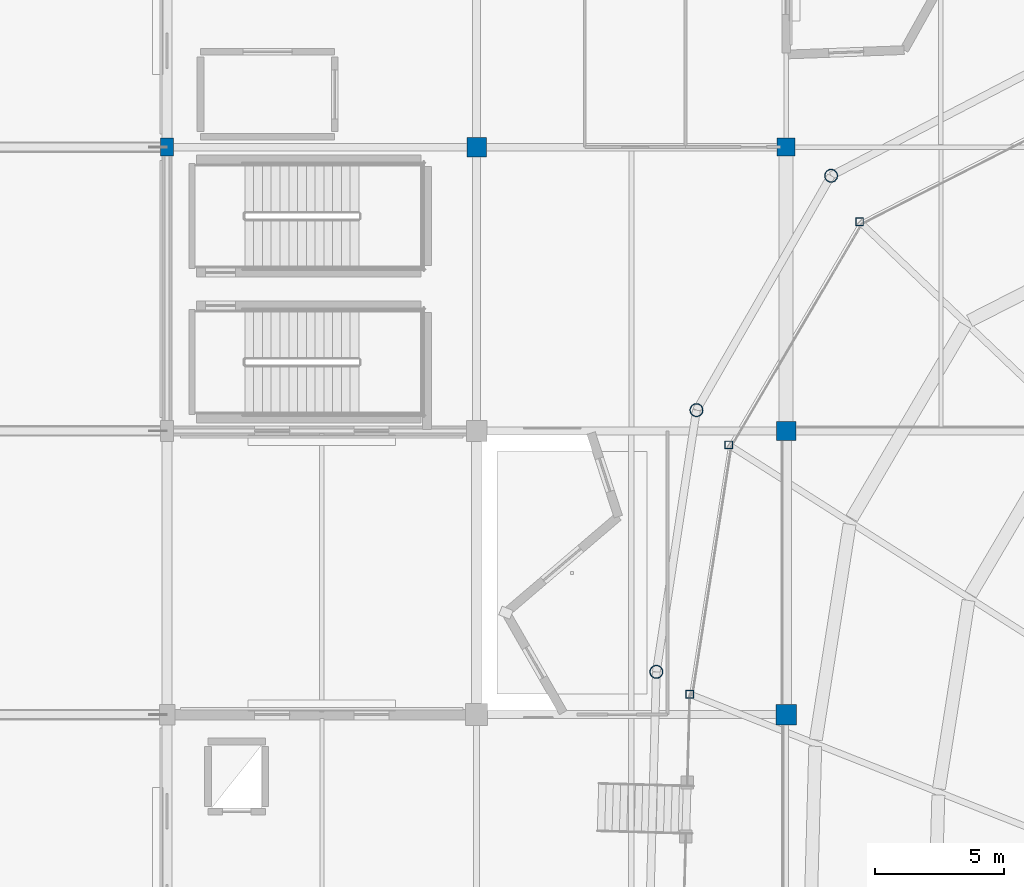
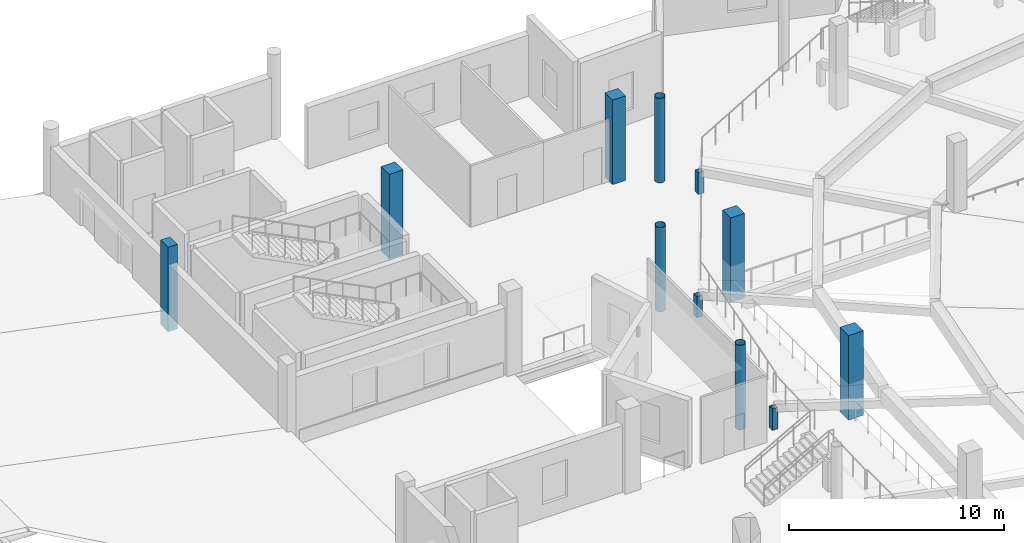
# One storey, part 8 of 77: 11 columns.
"""IFC4 building model written with IfcOpenShell, lengths in metres."""

import ifcopenshell
import ifcopenshell.guid

model = None  # the IFC model being written
_history = None  # IfcOwnerHistory: only IFC2X3 demands one
_inside = {}  # id of a spatial element -> (the spatial element, [elements in it])
_under = {}  # id of a project, library or spatial element -> (it, [spatial elements below it])
_declared = {}  # id of a project -> (the project, [libraries it declares])
_typed = {}  # id of a type object -> (the type object, [elements of that type])
_made_of = {}  # id of a material, layer set ... -> (it, [elements and type objects made of it])


def new_model(schema):
    """Start an empty IFC model of exactly this schema.

    Asked for "IFC4X3", IfcOpenShell would pick the latest addendum, in which some entities
    have other attributes; the version numbers below select the first issue.
    IFC2X3 requires an IfcOwnerHistory on every rooted entity: one is made here for all.
    """
    global model, _history
    if schema == "IFC4X3":
        model = ifcopenshell.file(schema_version=(4, 3, 0, 0))
    else:
        model = ifcopenshell.file(schema=schema)
    _inside.clear()
    _under.clear()
    _declared.clear()
    _typed.clear()
    _made_of.clear()
    _history = None
    if model.schema == "IFC2X3":
        org = make("IfcOrganization", Name="unknown")
        user = make(
            "IfcPersonAndOrganization",
            ThePerson=make("IfcPerson", FamilyName="unknown"),
            TheOrganization=org,
        )
        app = make(
            "IfcApplication",
            ApplicationDeveloper=org,
            Version="unknown",
            ApplicationFullName="unknown",
            ApplicationIdentifier="unknown",
        )
        _history = make(
            "IfcOwnerHistory",
            OwningUser=user,
            OwningApplication=app,
            ChangeAction="ADDED",
            CreationDate=0,
        )
    return model


def make(cls, **values):
    """One entity of the class cls with the attributes given. An attribute that is None is left unset."""
    return model.create_entity(
        cls, **{name: value for name, value in values.items() if value is not None}
    )


def rooted(cls, **values):
    """An entity with a GlobalId (a new one), such as an element, a storey or a relation."""
    return make(cls, GlobalId=ifcopenshell.guid.new(), OwnerHistory=_history, **values)


def si_unit(unit_type, name, prefix=None):
    """IfcSIUnit, for example si_unit("LENGTHUNIT", "METRE", prefix="MILLI")."""
    return make("IfcSIUnit", UnitType=unit_type, Prefix=prefix, Name=name)


def assignment(units):
    """IfcUnitAssignment: the units of a project."""
    return None if units is None else make("IfcUnitAssignment", Units=units)


def point(xyz):
    """IfcCartesianPoint."""
    return None if xyz is None else make("IfcCartesianPoint", Coordinates=xyz)


def direction(xyz):
    """IfcDirection."""
    return None if xyz is None else make("IfcDirection", DirectionRatios=xyz)


def frame(location, z_axis=None, x_axis=None):
    """IfcAxis2Placement3D, a coordinate frame: its origin and axes. An axis left out is left unset."""
    return make(
        "IfcAxis2Placement3D",
        Location=point(location),
        Axis=direction(z_axis),
        RefDirection=direction(x_axis),
    )


def frame_2d(location, x_axis=None):
    """IfcAxis2Placement2D, a coordinate frame in the plane: its origin and x axis."""
    return make(
        "IfcAxis2Placement2D", Location=point(location), RefDirection=direction(x_axis)
    )


def origin():
    """The frame at (0, 0, 0) with its axes left unset."""
    return frame((0.0, 0.0, 0.0))


def origin_2d():
    """The frame at (0, 0) in the plane with its x axis left unset."""
    return frame_2d((0.0, 0.0))


def place(relative_to, where):
    """IfcLocalPlacement: puts the frame where relative to a parent placement (None: the world)."""
    return make(
        "IfcLocalPlacement", PlacementRelTo=relative_to, RelativePlacement=where
    )


def context(
    kind, dimensions, precision=None, world=None, true_north=None, identifier=None
):
    """IfcGeometricRepresentationContext, for example the 3D "Model" context."""
    return make(
        "IfcGeometricRepresentationContext",
        ContextIdentifier=identifier,
        ContextType=kind,
        CoordinateSpaceDimension=dimensions,
        Precision=precision,
        WorldCoordinateSystem=world,
        TrueNorth=true_north,
    )


def subcontext(parent, identifier, kind, view, scale=None):
    """IfcGeometricRepresentationSubContext, for example "Body" below "Model"."""
    return make(
        "IfcGeometricRepresentationSubContext",
        ContextIdentifier=identifier,
        ContextType=kind,
        ParentContext=parent,
        TargetScale=scale,
        TargetView=view,
    )


def project(units=None, contexts=None):
    """IfcProject with its units and contexts."""
    return rooted(
        "IfcProject",
        Name="project",
        RepresentationContexts=contexts,
        UnitsInContext=assignment(units),
    )


def spatial(cls, under=None, at=None, **own):
    """A site, building, storey or space (cls), placed at a placement, below another one or the project."""
    s = rooted(cls, ObjectPlacement=at, **own)
    if under is not None:
        _under.setdefault(under.id(), (under, []))[1].append(s)
    return s


def profile(cls, at=None, kind="AREA", **sizes):
    """A parametric profile (cls). Its sizes go by their IFC names, for example OverallWidth=200.0."""
    return make(cls, ProfileType=kind, Position=at, **sizes)


def rectangle(**sizes):
    """IfcRectangleProfileDef."""
    return profile("IfcRectangleProfileDef", **sizes)


def hollow_rectangle(**sizes):
    """IfcRectangleHollowProfileDef."""
    return profile("IfcRectangleHollowProfileDef", **sizes)


def hollow_circle(**sizes):
    """IfcCircleHollowProfileDef."""
    return profile("IfcCircleHollowProfileDef", **sizes)


def extrude(swept, where, along, depth):
    """IfcExtrudedAreaSolid: the profile swept, set in the frame where, extruded along a direction by depth."""
    return make(
        "IfcExtrudedAreaSolid",
        SweptArea=swept,
        Position=where,
        ExtrudedDirection=direction(along),
        Depth=depth,
    )


def shape(context_of_items, identifier, shape_type, items):
    """IfcShapeRepresentation: the items that make up one representation, for example the "Body"."""
    return make(
        "IfcShapeRepresentation",
        ContextOfItems=context_of_items,
        RepresentationIdentifier=identifier,
        RepresentationType=shape_type,
        Items=items,
    )


def material(Name=None, Category=None):
    """IfcMaterial."""
    return make("IfcMaterial", Name=Name, Category=Category)


def material_profile(
    of_material, cross_section, Name=None, Category=None, Priority=None
):
    """IfcMaterialProfile: a cross section and its material."""
    return make(
        "IfcMaterialProfile",
        Name=Name,
        Material=of_material,
        Profile=cross_section,
        Priority=Priority,
        Category=Category,
    )


def profile_set(profiles, Name=None, composite=None):
    """IfcMaterialProfileSet."""
    return make(
        "IfcMaterialProfileSet",
        Name=Name,
        MaterialProfiles=profiles,
        CompositeProfile=composite,
    )


def made_of(thing, what):
    """Note that an element or type object is made of a material, layer set ...; save() writes the relation."""
    if what is not None:
        _made_of.setdefault(what.id(), (what, []))[1].append(thing)
    return thing


def type_object(cls, material=None, **own):
    """A type object (cls), such as IfcWallType, which elements share."""
    return made_of(rooted(cls, **own), material)


def element(
    cls,
    number,
    at=None,
    inside=None,
    cuts=None,
    type_object=None,
    material=None,
    context=None,
    identifier="Body",
    shape_type=None,
    held_by="IfcProductDefinitionShape",
    body=None,
    shapes=None,
    **own,
):
    """One element of the class cls, such as IfcWall. Its Tag is "e" and its number.

    at: its placement. inside: the storey or other place that contains it. cuts: it is an
    opening in that element (IfcRelVoidsElement). A single representation is given by context,
    identifier, shape_type and body (its items); several are given by shapes. held_by: the class
    of the entity that holds the representations. save() writes the other relations.
    """
    e = rooted(cls, Tag="e%d" % number, ObjectPlacement=at, **own)
    if body is not None:
        shapes = [shape(context, identifier, shape_type, body)]
    if shapes is not None:
        e.Representation = make(held_by, Representations=shapes)
    if inside is not None:
        _inside.setdefault(inside.id(), (inside, []))[1].append(e)
    if cuts is not None:
        rooted(
            "IfcRelVoidsElement", RelatingBuildingElement=cuts, RelatedOpeningElement=e
        )
    if type_object is not None:
        _typed.setdefault(type_object.id(), (type_object, []))[1].append(e)
    return made_of(e, material)


def aggregate(whole, parts):
    """IfcRelAggregates: a whole, such as a stair, and the parts it consists of."""
    return rooted("IfcRelAggregates", RelatingObject=whole, RelatedObjects=parts)


def save(model, path):
    """Write the relations noted so far, then the file.

    IfcRelAggregates (storeys below a building ...), IfcRelContainedInSpatialStructure (elements
    in a storey), IfcRelDefinesByType, IfcRelAssociatesMaterial and IfcRelDeclares: one each for
    every whole, place, type object, material and project.
    """
    for whole, parts in _under.values():
        aggregate(whole, parts)
    for where, things in _inside.values():
        rooted(
            "IfcRelContainedInSpatialStructure",
            RelatedElements=things,
            RelatingStructure=where,
        )
    for kind, things in _typed.values():
        rooted("IfcRelDefinesByType", RelatedObjects=things, RelatingType=kind)
    for what, things in _made_of.values():
        rooted("IfcRelAssociatesMaterial", RelatedObjects=things, RelatingMaterial=what)
    for by, libraries in _declared.values():
        rooted("IfcRelDeclares", RelatingContext=by, RelatedDefinitions=libraries)
    model.write(path)


model = new_model("IFC4")

# Units and contexts
model_context = context("Model", 3, precision=1e-05, world=origin(), true_north=direction((0.0, 1.0)))
body_context = subcontext(model_context, "Body", "Model", "MODEL_VIEW")
ifc_project = project(units=[si_unit("LENGTHUNIT", "METRE"), si_unit("AREAUNIT", "SQUARE_METRE"), si_unit("VOLUMEUNIT", "CUBIC_METRE"), si_unit("PLANEANGLEUNIT", "RADIAN"), si_unit("MASSUNIT", "GRAM", prefix="KILO")], contexts=[model_context])

# Site, building, storey
site_placement = place(None, origin())
site = spatial("IfcSite", under=ifc_project, at=site_placement, CompositionType="ELEMENT")
building_placement = place(site_placement, origin())
building = spatial("IfcBuilding", under=site, at=building_placement, Name="Luwafu Chhajja Arena", CompositionType="ELEMENT")
storey_placement = place(building_placement, frame((0.0, 0.0, 14.699951171875)))
storey = spatial("IfcBuildingStorey", under=building, at=storey_placement, Name="L03", CompositionType="ELEMENT", Elevation=14.699951171875)

# Columns
ifc_material_1 = material(Name="Concrete C35/45", Category="concrete")
ifc_material_profile_1 = material_profile(ifc_material_1, rectangle(XDim=0.800048828125, YDim=0.800048828125, at=origin_2d()), Name="RC 800x800")
ifc_profile_set_1 = profile_set([ifc_material_profile_1], Name="Concrete C35/45")
column_type_1 = type_object("IfcColumnType", Name="Concourse Standard Column RC 800", PredefinedType="COLUMN", material=ifc_profile_set_1)
column_1_placement = place(storey_placement, frame((58.0, 66.0, 0.0), z_axis=(0.0, 0.0, 1.0), x_axis=(1.0, 0.0, 0.0)))
element("IfcColumn", 1, at=column_1_placement, inside=storey, type_object=column_type_1, Name="L03 Grid Column 6/G", PredefinedType="COLUMN", context=body_context, shape_type="SweptSolid", body=[
    extrude(rectangle(XDim=0.800048828125, YDim=0.800048828125, at=origin_2d()), origin(), (0.0, 0.0, 1.0), 4.800048828125),
])
ifc_material_profile_2 = material_profile(ifc_material_1, rectangle(XDim=0.75, YDim=0.75, at=origin_2d()), Name="RC 750x750")
ifc_profile_set_2 = profile_set([ifc_material_profile_2], Name="Concrete C35/45")
column_type_2 = type_object("IfcColumnType", Name="Hospitality Ring Column RC 750", PredefinedType="COLUMN", material=ifc_profile_set_2)
for number, where, z_axis, x_axis, name in (
    (2, (46.0, 88.0, 0.0), (0.0, 0.0, 1.0), (1.0, 0.0, 0.0), "L03 Grid Column 5/J"),
    (3, (58.0, 77.0, 0.0), (0.0, 0.0, 1.0), (1.0, 0.0, 0.0), "L03 Grid Column 6/H"),
):
    element("IfcColumn", number, at=place(storey_placement, frame(where, z_axis=z_axis, x_axis=x_axis)), inside=storey, type_object=column_type_2, Name=name, PredefinedType="COLUMN", context=body_context, shape_type="SweptSolid", body=[
        extrude(rectangle(XDim=0.75, YDim=0.75, at=origin_2d()), origin(), (0.0, 0.0, 1.0), 4.800048828125),
    ])
ifc_material_profile_3 = material_profile(ifc_material_1, rectangle(XDim=0.5, YDim=0.699951171875, at=origin_2d()), Name="RC 500x700")
ifc_profile_set_3 = profile_set([ifc_material_profile_3], Name="Concrete C35/45")
column_type_3 = type_object("IfcColumnType", Name="Perimeter Pilaster Column RC 500x700", PredefinedType="COLUMN", material=ifc_profile_set_3)
column_2_placement = place(storey_placement, frame((34.0, 88.0, 0.0), z_axis=(0.0, 0.0, 1.0), x_axis=(1.0, 0.0, 0.0)))
element("IfcColumn", 4, at=column_2_placement, inside=storey, type_object=column_type_3, Name="L03 Grid Column 4/J", PredefinedType="COLUMN", context=body_context, shape_type="SweptSolid", body=[
    extrude(rectangle(XDim=0.5, YDim=0.699951171875, at=origin_2d()), origin(), (0.0, 0.0, 1.0), 4.800048828125),
])
ifc_material_2 = material(Name="Steel S355", Category="steel")
ifc_material_profile_4 = material_profile(ifc_material_2, hollow_rectangle(XDim=0.300048828125, YDim=0.300048828125, WallThickness=0.01611328125, at=origin_2d()), Name="SHS 300x300x16")
ifc_profile_set_4 = profile_set([ifc_material_profile_4], Name="Steel S355")
column_type_4 = type_object("IfcColumnType", Name="Steel Gallery Post SHS 300", PredefinedType="COLUMN", material=ifc_profile_set_4)
for number, where, z_axis, x_axis, name in (
    (5, (60.84619140625, 85.1103515625, 0.0), (0.0, 0.0, 1.0), (1.0, 0.0, 0.0), "L03 Upper Raker Rear Post 13"),
    (6, (55.772705078125, 76.4580078125, 0.0), (0.0, 0.0, 1.0), (1.0, 0.0, 0.0), "L03 Upper Raker Rear Post 14"),
    (7, (54.260498046875, 66.79638671875, 0.0), (0.0, 0.0, 1.0), (1.0, 0.0, 0.0), "L03 Upper Raker Rear Post 15"),
):
    element("IfcColumn", number, at=place(storey_placement, frame(where, z_axis=z_axis, x_axis=x_axis)), inside=storey, type_object=column_type_4, Name=name, PredefinedType="COLUMN", context=body_context, shape_type="SweptSolid", body=[
        extrude(hollow_rectangle(XDim=0.300048828125, YDim=0.300048828125, WallThickness=0.01611328125, at=origin_2d()), origin(), (0.0, 0.0, 1.0), 1.219970703125),
    ])
ifc_material_profile_5 = material_profile(ifc_material_2, hollow_circle(Radius=0.25390625, WallThickness=0.02001953125, at=origin_2d()), Name="CHS 508x20")
ifc_profile_set_5 = profile_set([ifc_material_profile_5], Name="Steel S355")
column_type_5 = type_object("IfcColumnType", Name="Steel Upper Drum Column CHS 508", PredefinedType="COLUMN", material=ifc_profile_set_5)
for number, where, z_axis, x_axis, name in (
    (8, (59.743896484375, 86.890869140625, 0.0), (0.0, 0.0, 1.0), (1.0, 0.0, 0.0), "L03 Bowl Drum Column D13"),
    (9, (54.52392578125, 77.805908203125, 0.0), (0.0, 0.0, 1.0), (1.0, 0.0, 0.0), "L03 Bowl Drum Column D14"),
    (10, (52.968017578125, 67.6611328125, 0.0), (0.0, 0.0, 1.0), (1.0, 0.0, 0.0), "L03 Bowl Drum Column D15"),
):
    element("IfcColumn", number, at=place(storey_placement, frame(where, z_axis=z_axis, x_axis=x_axis)), inside=storey, type_object=column_type_5, Name=name, PredefinedType="COLUMN", context=body_context, shape_type="SweptSolid", body=[
        extrude(hollow_circle(Radius=0.25390625, WallThickness=0.02001953125, at=origin_2d()), origin(), (0.0, 0.0, 1.0), 4.800048828125),
    ])
ifc_material_profile_6 = material_profile(ifc_material_1, rectangle(XDim=0.699951171875, YDim=0.699951171875, at=origin_2d()), Name="RC 700x700")
ifc_profile_set_6 = profile_set([ifc_material_profile_6], Name="Concrete C35/45")
column_type_6 = type_object("IfcColumnType", Name="Wing Frame Column RC 700", PredefinedType="COLUMN", material=ifc_profile_set_6)
column_3_placement = place(storey_placement, frame((58.0, 88.0, 0.0), z_axis=(0.0, 0.0, 1.0), x_axis=(1.0, 0.0, 0.0)))
element("IfcColumn", 11, at=column_3_placement, inside=storey, type_object=column_type_6, Name="L03 Grid Column 6/J", PredefinedType="COLUMN", context=body_context, shape_type="SweptSolid", body=[
    extrude(rectangle(XDim=0.699951171875, YDim=0.699951171875, at=origin_2d()), origin(), (0.0, 0.0, 1.0), 4.800048828125),
])

save(model, "model.ifc")
